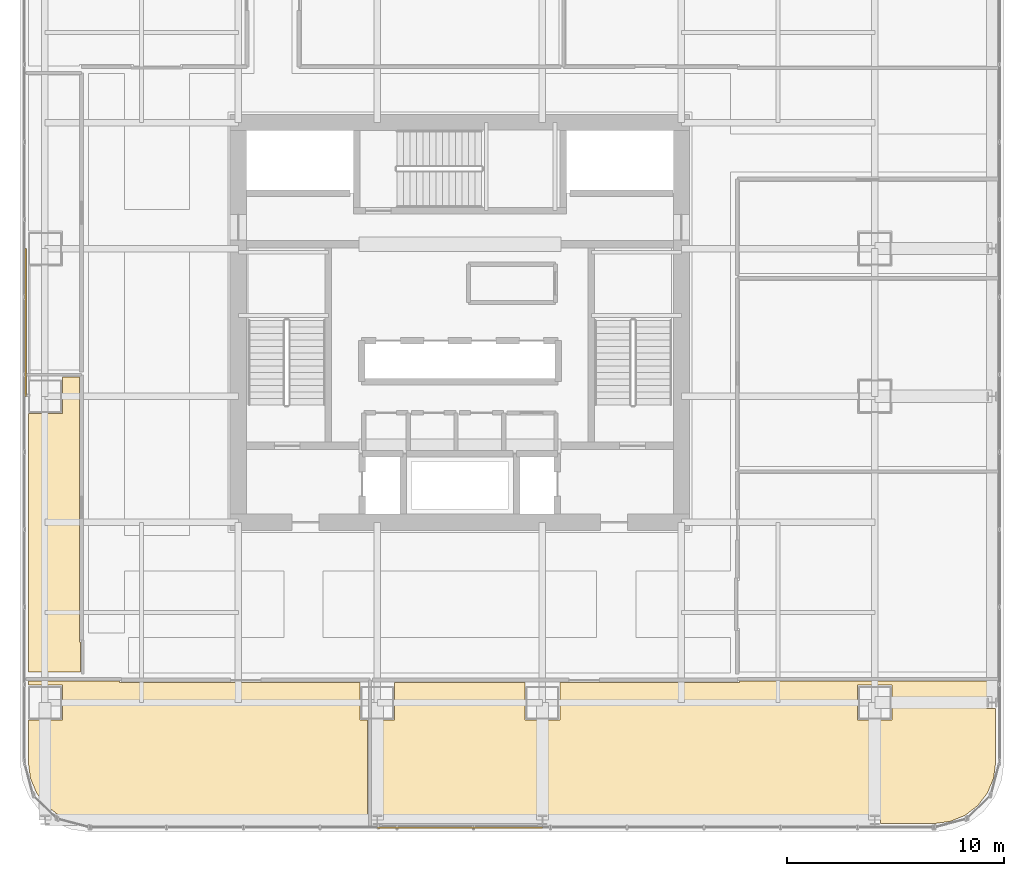
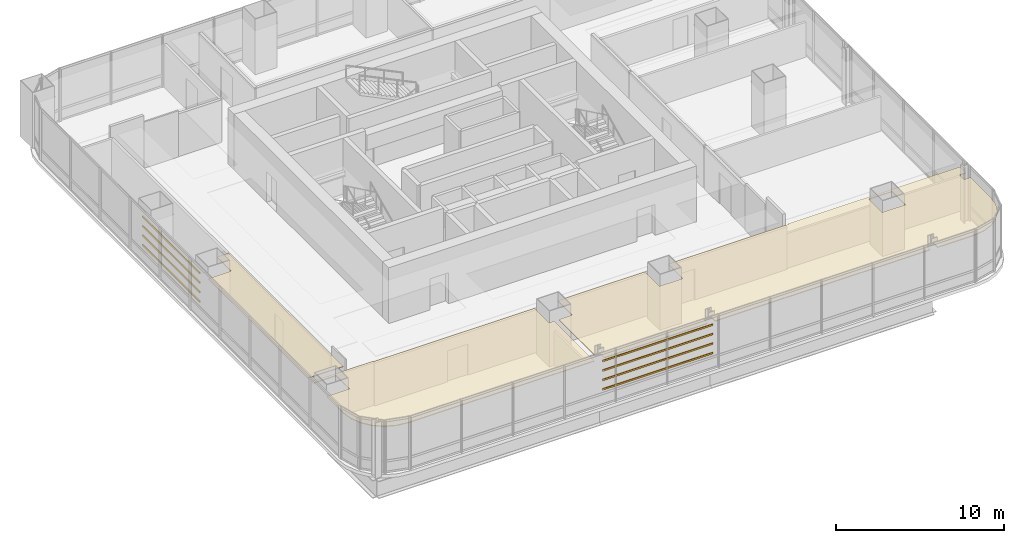
# One storey, part 31 of 35: 8 shading devices, 3 coverings.
"""IFC4 building model written with IfcOpenShell, lengths in metres."""

import ifcopenshell
import ifcopenshell.guid

model = None  # the IFC model being written
_history = None  # IfcOwnerHistory: only IFC2X3 demands one
_inside = {}  # id of a spatial element -> (the spatial element, [elements in it])
_under = {}  # id of a project, library or spatial element -> (it, [spatial elements below it])
_declared = {}  # id of a project -> (the project, [libraries it declares])
_typed = {}  # id of a type object -> (the type object, [elements of that type])
_made_of = {}  # id of a material, layer set ... -> (it, [elements and type objects made of it])


def new_model(schema):
    """Start an empty IFC model of exactly this schema.

    Asked for "IFC4X3", IfcOpenShell would pick the latest addendum, in which some entities
    have other attributes; the version numbers below select the first issue.
    IFC2X3 requires an IfcOwnerHistory on every rooted entity: one is made here for all.
    """
    global model, _history
    if schema == "IFC4X3":
        model = ifcopenshell.file(schema_version=(4, 3, 0, 0))
    else:
        model = ifcopenshell.file(schema=schema)
    _inside.clear()
    _under.clear()
    _declared.clear()
    _typed.clear()
    _made_of.clear()
    _history = None
    if model.schema == "IFC2X3":
        org = make("IfcOrganization", Name="unknown")
        user = make(
            "IfcPersonAndOrganization",
            ThePerson=make("IfcPerson", FamilyName="unknown"),
            TheOrganization=org,
        )
        app = make(
            "IfcApplication",
            ApplicationDeveloper=org,
            Version="unknown",
            ApplicationFullName="unknown",
            ApplicationIdentifier="unknown",
        )
        _history = make(
            "IfcOwnerHistory",
            OwningUser=user,
            OwningApplication=app,
            ChangeAction="ADDED",
            CreationDate=0,
        )
    return model


def make(cls, **values):
    """One entity of the class cls with the attributes given. An attribute that is None is left unset."""
    return model.create_entity(
        cls, **{name: value for name, value in values.items() if value is not None}
    )


def rooted(cls, **values):
    """An entity with a GlobalId (a new one), such as an element, a storey or a relation."""
    return make(cls, GlobalId=ifcopenshell.guid.new(), OwnerHistory=_history, **values)


def si_unit(unit_type, name, prefix=None):
    """IfcSIUnit, for example si_unit("LENGTHUNIT", "METRE", prefix="MILLI")."""
    return make("IfcSIUnit", UnitType=unit_type, Prefix=prefix, Name=name)


def assignment(units):
    """IfcUnitAssignment: the units of a project."""
    return None if units is None else make("IfcUnitAssignment", Units=units)


def point(xyz):
    """IfcCartesianPoint."""
    return None if xyz is None else make("IfcCartesianPoint", Coordinates=xyz)


def direction(xyz):
    """IfcDirection."""
    return None if xyz is None else make("IfcDirection", DirectionRatios=xyz)


def frame(location, z_axis=None, x_axis=None):
    """IfcAxis2Placement3D, a coordinate frame: its origin and axes. An axis left out is left unset."""
    return make(
        "IfcAxis2Placement3D",
        Location=point(location),
        Axis=direction(z_axis),
        RefDirection=direction(x_axis),
    )


def frame_2d(location, x_axis=None):
    """IfcAxis2Placement2D, a coordinate frame in the plane: its origin and x axis."""
    return make(
        "IfcAxis2Placement2D", Location=point(location), RefDirection=direction(x_axis)
    )


def origin():
    """The frame at (0, 0, 0) with its axes left unset."""
    return frame((0.0, 0.0, 0.0))


def origin_2d():
    """The frame at (0, 0) in the plane with its x axis left unset."""
    return frame_2d((0.0, 0.0))


def place(relative_to, where):
    """IfcLocalPlacement: puts the frame where relative to a parent placement (None: the world)."""
    return make(
        "IfcLocalPlacement", PlacementRelTo=relative_to, RelativePlacement=where
    )


def context(
    kind, dimensions, precision=None, world=None, true_north=None, identifier=None
):
    """IfcGeometricRepresentationContext, for example the 3D "Model" context."""
    return make(
        "IfcGeometricRepresentationContext",
        ContextIdentifier=identifier,
        ContextType=kind,
        CoordinateSpaceDimension=dimensions,
        Precision=precision,
        WorldCoordinateSystem=world,
        TrueNorth=true_north,
    )


def subcontext(parent, identifier, kind, view, scale=None):
    """IfcGeometricRepresentationSubContext, for example "Body" below "Model"."""
    return make(
        "IfcGeometricRepresentationSubContext",
        ContextIdentifier=identifier,
        ContextType=kind,
        ParentContext=parent,
        TargetScale=scale,
        TargetView=view,
    )


def project(units=None, contexts=None):
    """IfcProject with its units and contexts."""
    return rooted(
        "IfcProject",
        Name="project",
        RepresentationContexts=contexts,
        UnitsInContext=assignment(units),
    )


def spatial(cls, under=None, at=None, **own):
    """A site, building, storey or space (cls), placed at a placement, below another one or the project."""
    s = rooted(cls, ObjectPlacement=at, **own)
    if under is not None:
        _under.setdefault(under.id(), (under, []))[1].append(s)
    return s


def polyline(points):
    """IfcPolyline through the points."""
    return make("IfcPolyline", Points=[point(p) for p in points])


def profile(cls, at=None, kind="AREA", **sizes):
    """A parametric profile (cls). Its sizes go by their IFC names, for example OverallWidth=200.0."""
    return make(cls, ProfileType=kind, Position=at, **sizes)


def hollow_rectangle(**sizes):
    """IfcRectangleHollowProfileDef."""
    return profile("IfcRectangleHollowProfileDef", **sizes)


def outline(outer, holes=None, kind="AREA"):
    """IfcArbitraryClosedProfileDef: a profile drawn as a closed curve; with holes, ...WithVoids."""
    if holes is None:
        return make("IfcArbitraryClosedProfileDef", ProfileType=kind, OuterCurve=outer)
    return make(
        "IfcArbitraryProfileDefWithVoids",
        ProfileType=kind,
        OuterCurve=outer,
        InnerCurves=holes,
    )


def extrude(swept, where, along, depth):
    """IfcExtrudedAreaSolid: the profile swept, set in the frame where, extruded along a direction by depth."""
    return make(
        "IfcExtrudedAreaSolid",
        SweptArea=swept,
        Position=where,
        ExtrudedDirection=direction(along),
        Depth=depth,
    )


def shape(context_of_items, identifier, shape_type, items):
    """IfcShapeRepresentation: the items that make up one representation, for example the "Body"."""
    return make(
        "IfcShapeRepresentation",
        ContextOfItems=context_of_items,
        RepresentationIdentifier=identifier,
        RepresentationType=shape_type,
        Items=items,
    )


def material(Name=None, Category=None):
    """IfcMaterial."""
    return make("IfcMaterial", Name=Name, Category=Category)


def layer(
    of_material, thickness, ventilated=None, Name=None, Category=None, Priority=None
):
    """IfcMaterialLayer: one layer of a wall or slab, of a material (None: an air gap)."""
    return make(
        "IfcMaterialLayer",
        Material=of_material,
        LayerThickness=thickness,
        IsVentilated=ventilated,
        Name=Name,
        Category=Category,
        Priority=Priority,
    )


def layer_set(layers, Name=None):
    """IfcMaterialLayerSet."""
    return make("IfcMaterialLayerSet", MaterialLayers=layers, LayerSetName=Name)


def material_profile(
    of_material, cross_section, Name=None, Category=None, Priority=None
):
    """IfcMaterialProfile: a cross section and its material."""
    return make(
        "IfcMaterialProfile",
        Name=Name,
        Material=of_material,
        Profile=cross_section,
        Priority=Priority,
        Category=Category,
    )


def profile_set(profiles, Name=None, composite=None):
    """IfcMaterialProfileSet."""
    return make(
        "IfcMaterialProfileSet",
        Name=Name,
        MaterialProfiles=profiles,
        CompositeProfile=composite,
    )


def made_of(thing, what):
    """Note that an element or type object is made of a material, layer set ...; save() writes the relation."""
    if what is not None:
        _made_of.setdefault(what.id(), (what, []))[1].append(thing)
    return thing


def type_object(cls, material=None, **own):
    """A type object (cls), such as IfcWallType, which elements share."""
    return made_of(rooted(cls, **own), material)


def element(
    cls,
    number,
    at=None,
    inside=None,
    cuts=None,
    type_object=None,
    material=None,
    context=None,
    identifier="Body",
    shape_type=None,
    held_by="IfcProductDefinitionShape",
    body=None,
    shapes=None,
    **own,
):
    """One element of the class cls, such as IfcWall. Its Tag is "e" and its number.

    at: its placement. inside: the storey or other place that contains it. cuts: it is an
    opening in that element (IfcRelVoidsElement). A single representation is given by context,
    identifier, shape_type and body (its items); several are given by shapes. held_by: the class
    of the entity that holds the representations. save() writes the other relations.
    """
    e = rooted(cls, Tag="e%d" % number, ObjectPlacement=at, **own)
    if body is not None:
        shapes = [shape(context, identifier, shape_type, body)]
    if shapes is not None:
        e.Representation = make(held_by, Representations=shapes)
    if inside is not None:
        _inside.setdefault(inside.id(), (inside, []))[1].append(e)
    if cuts is not None:
        rooted(
            "IfcRelVoidsElement", RelatingBuildingElement=cuts, RelatedOpeningElement=e
        )
    if type_object is not None:
        _typed.setdefault(type_object.id(), (type_object, []))[1].append(e)
    return made_of(e, material)


def aggregate(whole, parts):
    """IfcRelAggregates: a whole, such as a stair, and the parts it consists of."""
    return rooted("IfcRelAggregates", RelatingObject=whole, RelatedObjects=parts)


def save(model, path):
    """Write the relations noted so far, then the file.

    IfcRelAggregates (storeys below a building ...), IfcRelContainedInSpatialStructure (elements
    in a storey), IfcRelDefinesByType, IfcRelAssociatesMaterial and IfcRelDeclares: one each for
    every whole, place, type object, material and project.
    """
    for whole, parts in _under.values():
        aggregate(whole, parts)
    for where, things in _inside.values():
        rooted(
            "IfcRelContainedInSpatialStructure",
            RelatedElements=things,
            RelatingStructure=where,
        )
    for kind, things in _typed.values():
        rooted("IfcRelDefinesByType", RelatedObjects=things, RelatingType=kind)
    for what, things in _made_of.values():
        rooted("IfcRelAssociatesMaterial", RelatedObjects=things, RelatingMaterial=what)
    for by, libraries in _declared.values():
        rooted("IfcRelDeclares", RelatingContext=by, RelatedDefinitions=libraries)
    model.write(path)


model = new_model("IFC4")

# Units and contexts
model_context = context("Model", 3, precision=1e-05, world=origin(), true_north=direction((0.0, 1.0)))
body_context = subcontext(model_context, "Body", "Model", "MODEL_VIEW")
ifc_project = project(units=[si_unit("LENGTHUNIT", "METRE"), si_unit("AREAUNIT", "SQUARE_METRE"), si_unit("VOLUMEUNIT", "CUBIC_METRE"), si_unit("PLANEANGLEUNIT", "RADIAN"), si_unit("MASSUNIT", "GRAM", prefix="KILO")], contexts=[model_context])

# Site, building, storey
site_placement = place(None, origin())
site = spatial("IfcSite", under=ifc_project, at=site_placement, CompositionType="ELEMENT")
building_placement = place(site_placement, origin())
building = spatial("IfcBuilding", under=site, at=building_placement, Name="Punatoya Terracotta Tower", CompositionType="ELEMENT")
storey_placement = place(building_placement, frame((0.0, 0.0, 64.64990234375)))
storey = spatial("IfcBuildingStorey", under=building, at=storey_placement, Name="L14", CompositionType="ELEMENT", Elevation=64.64990234375)

# Coverings
ifc_material_1 = material(Name="Acoustic Mineral Fibre Ceiling")
ifc_layer = layer(ifc_material_1, 0.06005859375)
ifc_layer_set = layer_set([ifc_layer], Name="Acoustic Mineral Fibre Ceiling")
covering_type = type_object("IfcCoveringType", Name="COV-CEIL-60", PredefinedType="CEILING", material=ifc_layer_set)
covering_1_placement = place(storey_placement, frame((0.0, 0.0, 3.2001953125)))
element("IfcCovering", 1, at=covering_1_placement, inside=storey, type_object=covering_type, Name="L14 Open-Plan Plenary Seminar Room Acoustic Ceiling", PredefinedType="CEILING", context=body_context, shape_type="SweptSolid", body=[
    extrude(outline(polyline([(-19.041748046875, -22.24169921875), (-18.458251953125, -22.689453125), (-17.779052734375, -22.970703125), (-17.025146484375, -23.070068359375), (-4.241943359375, -23.070068359375), (-4.241943359375, -18.300048828125), (-4.60009765625, -18.300048828125), (-4.60009765625, -16.570068359375), (-15.669921875, -16.570068359375), (-15.669921875, -16.510009765625), (-19.8701171875, -16.510009765625), (-19.8701171875, -16.699951171875), (-18.300048828125, -16.699951171875), (-18.300048828125, -18.300048828125), (-19.8701171875, -18.300048828125), (-19.8701171875, -20.22509765625), (-19.770751953125, -20.97900390625), (-19.489501953125, -21.658203125), (-19.041748046875, -22.24169921875)])), origin(), (0.0, 0.0, 1.0), 0.059814453125),
])
covering_2_placement = place(storey_placement, frame((0.0, 0.0, 3.2001953125)))
element("IfcCovering", 2, at=covering_2_placement, inside=storey, type_object=covering_type, Name="L14 Client Strategy Boardroom Acoustic Ceiling", PredefinedType="CEILING", context=body_context, shape_type="SweptSolid", body=[
    extrude(outline(polyline([(-3.0, -16.570068359375), (-3.0, -18.300048828125), (-3.922119140625, -18.300048828125), (-3.922119140625, -22.626953125), (-3.5419921875, -22.626953125), (-3.5419921875, -23.070068359375), (3.5419921875, -23.070068359375), (3.5419921875, -22.626953125), (4.05810546875, -22.626953125), (4.05810546875, -23.070068359375), (18.842041015625, -23.070068359375), (18.842041015625, -22.626953125), (19.35791015625, -22.626953125), (19.35791015625, -23.070068359375), (21.8251953125, -23.070068359375), (22.5791015625, -22.970703125), (23.25830078125, -22.689453125), (23.841796875, -22.24169921875), (24.289306640625, -21.658203125), (24.57080078125, -20.97900390625), (24.669921875, -20.22509765625), (24.669921875, -17.77294921875), (24.241943359375, -17.77294921875), (24.241943359375, -17.22705078125), (24.669921875, -17.22705078125), (24.669921875, -16.510009765625), (12.8701171875, -16.510009765625), (12.8701171875, -16.570068359375), (4.60009765625, -16.570068359375), (4.60009765625, -18.300048828125), (3.0, -18.300048828125), (3.0, -16.570068359375), (-3.0, -16.570068359375)]), holes=[polyline([(19.89990234375, -18.300048828125), (18.300048828125, -18.300048828125), (18.300048828125, -16.699951171875), (19.89990234375, -16.699951171875), (19.89990234375, -18.300048828125)])]), origin(), (0.0, 0.0, 1.0), 0.059814453125),
])
covering_3_placement = place(storey_placement, frame((0.0, 0.0, 3.2001953125)))
element("IfcCovering", 3, at=covering_3_placement, inside=storey, type_object=covering_type, Name="L14 Open-Plan Executive Briefing Room Acoustic Ceiling", PredefinedType="CEILING", context=body_context, shape_type="SweptSolid", body=[
    extrude(outline(polyline([(-18.300048828125, -2.510009765625), (-18.300048828125, -4.199951171875), (-19.8701171875, -4.199951171875), (-19.8701171875, -16.090087890625), (-17.4599609375, -16.090087890625), (-17.4599609375, -14.719970703125), (-17.52001953125, -14.719970703125), (-17.52001953125, -2.510009765625), (-18.300048828125, -2.510009765625)])), origin(), (0.0, 0.0, 1.0), 0.059814453125),
])

# Shading devices
ifc_material_2 = material(Name="Architectural Fired Terracotta", Category="masonry")
ifc_material_profile = material_profile(ifc_material_2, hollow_rectangle(XDim=0.06494140625, YDim=0.1201171875, WallThickness=0.014892578125, at=origin_2d()))
ifc_profile_set = profile_set([ifc_material_profile], Name="Architectural Fired Terracotta")
shading_device_type = type_object("IfcShadingDeviceType", Name="SHD-BAG-120", PredefinedType="USERDEFINED", material=ifc_profile_set)
for number, where, z_axis, x_axis, name in (
    (4, (-3.800048828125, -23.262939453125, 1.150146484375), (1.0, 0.0, 0.0), (0.0, 1.0, 0.0), "L14 Fired Terracotta Baguette Louvre BAG-L14-S-01"),
    (5, (-3.800048828125, -23.262939453125, 1.8369140625), (1.0, 0.0, 0.0), (0.0, 1.0, 0.0), "L14 Fired Terracotta Baguette Louvre BAG-L14-S-02"),
    (6, (-3.800048828125, -23.262939453125, 2.5234375), (1.0, 0.0, 0.0), (0.0, 1.0, 0.0), "L14 Fired Terracotta Baguette Louvre BAG-L14-S-03"),
    (7, (-3.800048828125, -23.262939453125, 3.210205078125), (1.0, 0.0, 0.0), (0.0, 1.0, 0.0), "L14 Fired Terracotta Baguette Louvre BAG-L14-S-04"),
):
    element("IfcShadingDevice", number, at=place(storey_placement, frame(where, z_axis=z_axis, x_axis=x_axis)), inside=storey, type_object=shading_device_type, Name=name, ObjectType="BAGUETTE", PredefinedType="USERDEFINED", context=body_context, shape_type="SweptSolid", body=[
        extrude(hollow_rectangle(XDim=0.06494140625, YDim=0.1201171875, WallThickness=0.014892578125, at=origin_2d()), origin(), (0.0, 0.0, 1.0), 7.60009765625),
    ])
for number, where, z_axis, x_axis, name in (
    (8, (-19.989990234375, -3.39990234375, 1.150146484375), (0.0, 1.0, 0.0), (-1.0, 0.0, 0.0), "L14 Fired Terracotta Baguette Louvre BAG-L14-W-01"),
    (9, (-19.989990234375, -3.39990234375, 1.8369140625), (0.0, 1.0, 0.0), (-1.0, 0.0, 0.0), "L14 Fired Terracotta Baguette Louvre BAG-L14-W-02"),
    (10, (-19.989990234375, -3.39990234375, 2.5234375), (0.0, 1.0, 0.0), (-1.0, 0.0, 0.0), "L14 Fired Terracotta Baguette Louvre BAG-L14-W-03"),
    (11, (-19.989990234375, -3.39990234375, 3.210205078125), (0.0, 1.0, 0.0), (-1.0, 0.0, 0.0), "L14 Fired Terracotta Baguette Louvre BAG-L14-W-04"),
):
    element("IfcShadingDevice", number, at=place(storey_placement, frame(where, z_axis=z_axis, x_axis=x_axis)), inside=storey, type_object=shading_device_type, Name=name, ObjectType="BAGUETTE", PredefinedType="USERDEFINED", context=body_context, shape_type="SweptSolid", body=[
        extrude(hollow_rectangle(XDim=0.06494140625, YDim=0.1201171875, WallThickness=0.014892578125, at=origin_2d()), origin(), (0.0, 0.0, 1.0), 6.7998046875),
    ])

save(model, "model.ifc")
